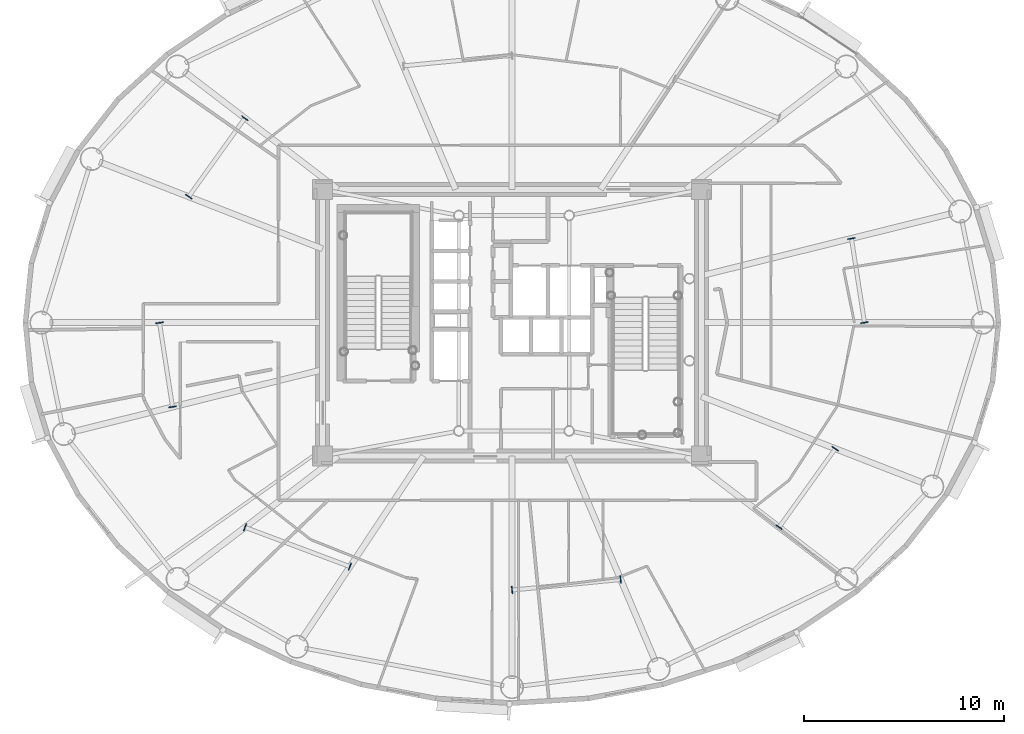
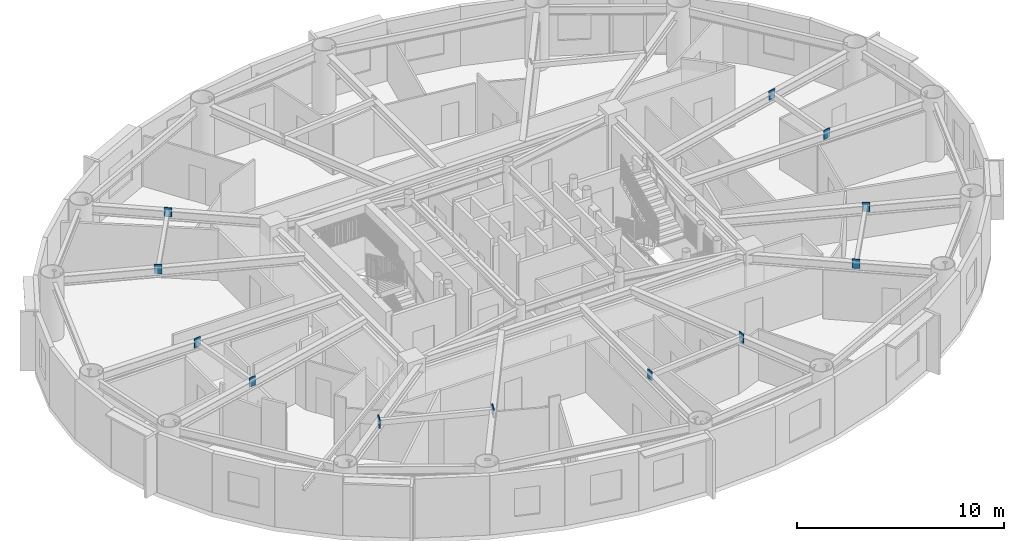
# One storey, part 7 of 21: 12 plates.
"""IFC4 building model written with IfcOpenShell, lengths in metres."""

from ifc_helpers import new_model, si_unit, direction, frame, origin, origin_2d, place, context, subcontext, project, spatial, rectangle, extrude, source, transform, mapped, material, layer, layer_set, type_object, element, save


model = new_model("IFC4")

# Units and contexts
model_context = context("Model", 3, precision=1e-05, world=origin(), true_north=direction((0.0, 1.0)))
body_context = subcontext(model_context, "Body", "Model", "MODEL_VIEW")
ifc_project = project(units=[si_unit("LENGTHUNIT", "METRE"), si_unit("AREAUNIT", "SQUARE_METRE"), si_unit("VOLUMEUNIT", "CUBIC_METRE"), si_unit("PLANEANGLEUNIT", "RADIAN"), si_unit("MASSUNIT", "GRAM", prefix="KILO")], contexts=[model_context])

# Site, building, storey
site_placement = place(None, origin())
site = spatial("IfcSite", under=ifc_project, at=site_placement, CompositionType="ELEMENT")
building_placement = place(site_placement, origin())
building = spatial("IfcBuilding", under=site, at=building_placement, Name="Linh Dai School and Residence Tower", CompositionType="ELEMENT")
storey_placement = place(building_placement, frame((0.0, 0.0, 251.550048828125)))
storey = spatial("IfcBuildingStorey", under=building, at=storey_placement, Name="L62", CompositionType="ELEMENT", Elevation=251.550048828125)

# Plates
ifc_material = material(Name="Structural Steel S355JR", Category="steel")
ifc_layer = layer(ifc_material, 0.0400390625)
ifc_layer_set = layer_set([ifc_layer], Name="Structural Steel S355JR")
plate_type = type_object("IfcPlateType", Name="PLT-GP1", PredefinedType="USERDEFINED", material=ifc_layer_set)
shared_shape = source(origin(), body_context, "Body", "SweptSolid", [
    extrude(rectangle(XDim=0.0400390625, YDim=0.3798828125, at=origin_2d()), origin(), (0.0, 0.0, 1.0), 0.5400390625),
])
for number, where, z_axis, x_axis, name in (
    (1, (53.583740234375, 27.0048828125, 3.079833984375), (0.0, 0.0, 1.0), (-0.153185627242, 0.988197431492, 0.0), "L62 Secondary Beam End Plate 01A"),
    (2, (52.93359375, 31.198974609375, 3.079833984375), (0.0, 0.0, 1.0), (-0.153185627242, 0.988197431492, 0.0), "L62 Secondary Beam End Plate 01B"),
    (3, (22.675048828125, 37.201904296875, 3.079833984375), (0.0, 0.0, 1.0), (-0.582040406941, -0.813159864164, 0.0), "L62 Secondary Beam End Plate 04A"),
    (4, (19.8740234375, 33.28857421875, 3.079833984375), (0.0, 0.0, 1.0), (-0.582040406941, -0.813159864164, 0.0), "L62 Secondary Beam End Plate 04B"),
    (5, (18.416259765625, 26.9951171875, 3.079833984375), (0.0, 0.0, 1.0), (0.153185627242, -0.988197431492, 0.0), "L62 Secondary Beam End Plate 05A"),
    (6, (19.06640625, 22.801025390625, 3.079833984375), (0.0, 0.0, 1.0), (0.153185627242, -0.988197431492, 0.0), "L62 Secondary Beam End Plate 05B"),
    (7, (22.6826171875, 16.792236328125, 3.079833984375), (0.0, 0.0, 1.0), (0.936533727109, -0.35057749213, 0.0), "L62 Secondary Beam End Plate 06A"),
    (8, (27.914306640625, 14.833984375, 3.079833984375), (0.0, 0.0, 1.0), (0.936533727109, -0.35057749213, 0.0), "L62 Secondary Beam End Plate 06B"),
    (9, (36.0048828125, 13.6630859375, 3.079833984375), (0.0, 0.0, 1.0), (0.995333315624, 0.096496584447, 0.0), "L62 Secondary Beam End Plate 07A"),
    (10, (41.418212890625, 14.18798828125, 3.079833984375), (0.0, 0.0, 1.0), (0.995333315624, 0.096496584447, 0.0), "L62 Secondary Beam End Plate 07B"),
    (11, (49.324951171875, 16.798095703125, 3.079833984375), (0.0, 0.0, 1.0), (0.582040406941, 0.813159864164, 0.0), "L62 Secondary Beam End Plate 08A"),
    (12, (52.1259765625, 20.71142578125, 3.079833984375), (0.0, 0.0, 1.0), (0.582040406941, 0.813159864164, 0.0), "L62 Secondary Beam End Plate 08B"),
):
    element("IfcPlate", number, at=place(storey_placement, frame(where, z_axis=z_axis, x_axis=x_axis)), inside=storey, type_object=plate_type, Name=name, ObjectType="GUSSET PLATE", PredefinedType="USERDEFINED", context=body_context, shape_type="MappedRepresentation", body=[
        mapped(shared_shape, transform((0.0, 0.0, 0.0), x_axis=(1.0, 0.0, 0.0), y_axis=(0.0, 1.0, 0.0), z_axis=(0.0, 0.0, 1.0), scale=1.0)),
    ])

save(model, "model.ifc")
